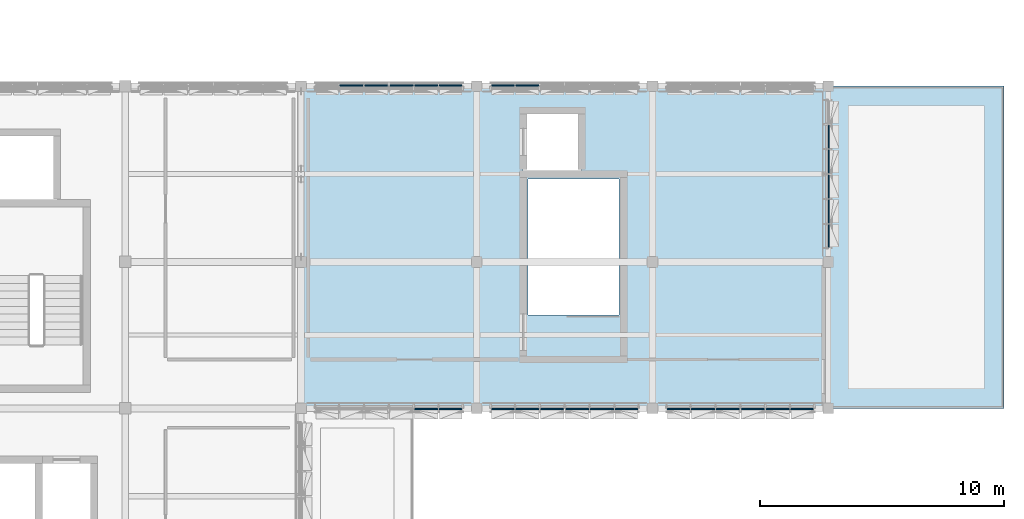
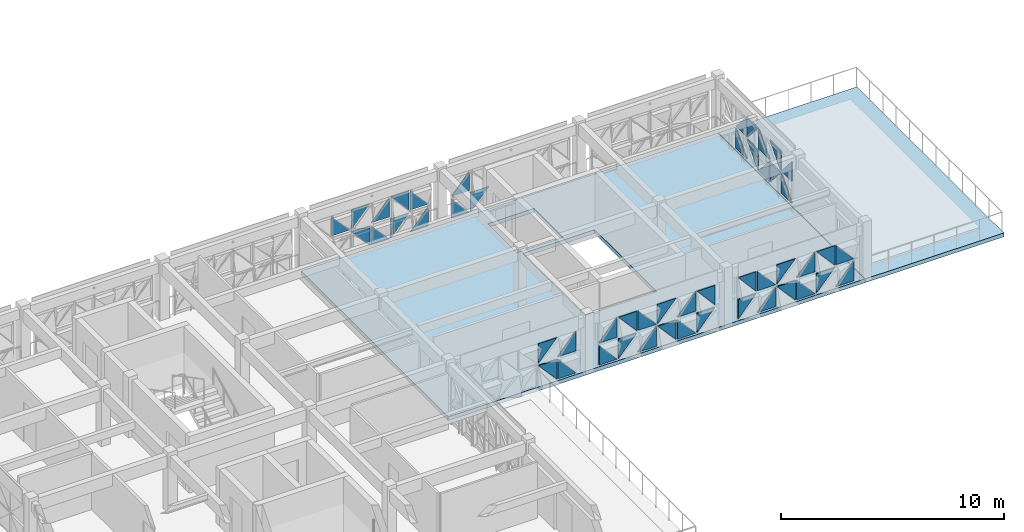
# One storey, part 16 of 35: 50 plates, 2 slabs, 6 elements without a shape of their own.
"""IFC4 building model written with IfcOpenShell, lengths in metres."""

from ifc_helpers import new_model, si_unit, direction, frame, origin, place, context, subcontext, project, spatial, polyline, outline, extrude, material, layer, layer_set, type_object, element, aggregate, save


model = new_model("IFC4")

# Units and contexts
model_context = context("Model", 3, precision=1e-05, world=origin(), true_north=direction((0.0, 1.0)))
body_context = subcontext(model_context, "Body", "Model", "MODEL_VIEW")
ifc_project = project(units=[si_unit("LENGTHUNIT", "METRE"), si_unit("AREAUNIT", "SQUARE_METRE"), si_unit("VOLUMEUNIT", "CUBIC_METRE"), si_unit("PLANEANGLEUNIT", "RADIAN"), si_unit("MASSUNIT", "GRAM", prefix="KILO")], contexts=[model_context])

# Site, building, storey
site_placement = place(None, origin())
site = spatial("IfcSite", under=ifc_project, at=site_placement, CompositionType="ELEMENT")
building_placement = place(site_placement, origin())
building = spatial("IfcBuilding", under=site, at=building_placement, Name="Alvorim Cloister Faculty of Sciences", CompositionType="ELEMENT")
storey_placement = place(building_placement, frame((0.0, 0.0, 22.949951171875)))
storey = spatial("IfcBuildingStorey", under=building, at=storey_placement, Name="L06", CompositionType="ELEMENT", Elevation=22.949951171875)

# Curtain wall, plates
ifc_material_1 = material(Name="Aluminium and Low-E Glass Curtain Wall", Category="aluminium")
curtain_wall_type = type_object("IfcCurtainWallType", Name="CW-TRI-6120x2550", PredefinedType="USERDEFINED", material=ifc_material_1)
curtain_wall_1_placement = place(storey_placement, origin())
curtain_wall_1 = element("IfcCurtainWall", 1, at=curtain_wall_1_placement, inside=storey, type_object=curtain_wall_type, Name="L06 Diagonal Cassette Curtain Wall CW-0248", ObjectType="UNITISED CURTAIN WALL", PredefinedType="USERDEFINED")
ifc_material_2 = material(Name="Double Low-E Laminated Glass", Category="glass")
ifc_layer_1 = layer(ifc_material_2, 0.0400390625)
ifc_layer_set_1 = layer_set([ifc_layer_1], Name="Double Low-E Laminated Glass")
plate_type = type_object("IfcPlateType", Name="PN-GLZ-40", PredefinedType="CURTAIN_PANEL", material=ifc_layer_set_1)
plate_1_placement = place(storey_placement, frame((30.392578125, 56.425048828125, 1.344970703125), z_axis=(0.0, 0.0, 1.0), x_axis=(1.0, 0.0, 0.0)))
plate_1 = element("IfcPlate", 2, at=plate_1_placement, type_object=plate_type, Name="Diagonal Glazed Triangle TRI-BL", PredefinedType="CURTAIN_PANEL", context=body_context, shape_type="SweptSolid", body=[
    extrude(outline(polyline([(0.0, 0.0), (0.953125, 0.0), (0.0, 1.063232421875), (0.0, 0.0)])), frame((0.0, 0.02490234375, 0.0), z_axis=(0.0, -1.0, 0.0), x_axis=(1.0, 0.0, 0.0)), (0.0, 0.0, 1.0), 0.050048828125),
])
plate_2_placement = place(storey_placement, frame((31.41259765625, 56.425048828125, 0.14013671875), z_axis=(0.0, 0.0, 1.0), x_axis=(1.0, 0.0, 0.0)))
plate_2 = element("IfcPlate", 3, at=plate_2_placement, type_object=plate_type, Name="Diagonal Glazed Triangle TRI-TR", PredefinedType="CURTAIN_PANEL", context=body_context, shape_type="SweptSolid", body=[
    extrude(outline(polyline([(0.955078125, 0.001953125), (0.955078125, 1.06494140625), (0.001953125, 1.06494140625), (0.955078125, 0.001953125)])), frame((0.0, 0.02490234375, 0.0), z_axis=(0.0, -1.0, 0.0), x_axis=(1.0, 0.0, 0.0)), (0.0, 0.0, 1.0), 0.050048828125),
])
plate_3_placement = place(storey_placement, frame((31.41259765625, 56.425048828125, 1.344970703125), z_axis=(0.0, 0.0, 1.0), x_axis=(1.0, 0.0, 0.0)))
plate_3 = element("IfcPlate", 4, at=plate_3_placement, type_object=plate_type, Name="Diagonal Glazed Triangle TRI-TL", PredefinedType="CURTAIN_PANEL", context=body_context, shape_type="SweptSolid", body=[
    extrude(outline(polyline([(0.953125, 1.065185546875), (0.0, 1.065185546875), (0.0, 0.001953125), (0.953125, 1.065185546875)])), frame((0.0, 0.02490234375, 0.0), z_axis=(0.0, -1.0, 0.0), x_axis=(1.0, 0.0, 0.0)), (0.0, 0.0, 1.0), 0.050048828125),
])
plate_4_placement = place(storey_placement, frame((32.4326171875, 56.425048828125, 0.14013671875), z_axis=(0.0, 0.0, 1.0), x_axis=(1.0, 0.0, 0.0)))
plate_4 = element("IfcPlate", 5, at=plate_4_placement, type_object=plate_type, Name="Diagonal Glazed Triangle TRI-BL", PredefinedType="CURTAIN_PANEL", context=body_context, shape_type="SweptSolid", body=[
    extrude(outline(polyline([(0.0, 0.0), (0.953125, 0.0), (0.0, 1.06298828125), (0.0, 0.0)])), frame((0.0, 0.02490234375, 0.0), z_axis=(0.0, -1.0, 0.0), x_axis=(1.0, 0.0, 0.0)), (0.0, 0.0, 1.0), 0.050048828125),
])
plate_5_placement = place(storey_placement, frame((32.4326171875, 56.425048828125, 1.344970703125), z_axis=(0.0, 0.0, 1.0), x_axis=(1.0, 0.0, 0.0)))
plate_5 = element("IfcPlate", 6, at=plate_5_placement, type_object=plate_type, Name="Diagonal Glazed Triangle TRI-BR", PredefinedType="CURTAIN_PANEL", context=body_context, shape_type="SweptSolid", body=[
    extrude(outline(polyline([(0.001953125, 0.0), (0.955078125, 0.0), (0.955078125, 1.063232421875), (0.001953125, 0.0)])), frame((0.0, 0.02490234375, 0.0), z_axis=(0.0, -1.0, 0.0), x_axis=(1.0, 0.0, 0.0)), (0.0, 0.0, 1.0), 0.050048828125),
])
plate_6_placement = place(storey_placement, frame((33.452392578125, 56.425048828125, 0.14013671875), z_axis=(0.0, 0.0, 1.0), x_axis=(1.0, 0.0, 0.0)))
plate_6 = element("IfcPlate", 7, at=plate_6_placement, type_object=plate_type, Name="Diagonal Glazed Triangle TRI-TL", PredefinedType="CURTAIN_PANEL", context=body_context, shape_type="SweptSolid", body=[
    extrude(outline(polyline([(0.953125, 1.06494140625), (0.0, 1.06494140625), (0.0, 0.001953125), (0.953125, 1.06494140625)])), frame((0.0, 0.02490234375, 0.0), z_axis=(0.0, -1.0, 0.0), x_axis=(1.0, 0.0, 0.0)), (0.0, 0.0, 1.0), 0.050048828125),
])
plate_7_placement = place(storey_placement, frame((33.452392578125, 56.425048828125, 1.344970703125), z_axis=(0.0, 0.0, 1.0), x_axis=(1.0, 0.0, 0.0)))
plate_7 = element("IfcPlate", 8, at=plate_7_placement, type_object=plate_type, Name="Diagonal Glazed Triangle TRI-TR", PredefinedType="CURTAIN_PANEL", context=body_context, shape_type="SweptSolid", body=[
    extrude(outline(polyline([(0.955078125, 0.001953125), (0.955078125, 1.065185546875), (0.001953125, 1.065185546875), (0.955078125, 0.001953125)])), frame((0.0, 0.02490234375, 0.0), z_axis=(0.0, -1.0, 0.0), x_axis=(1.0, 0.0, 0.0)), (0.0, 0.0, 1.0), 0.050048828125),
])
plate_8_placement = place(storey_placement, frame((34.472412109375, 56.425048828125, 0.14013671875), z_axis=(0.0, 0.0, 1.0), x_axis=(1.0, 0.0, 0.0)))
plate_8 = element("IfcPlate", 9, at=plate_8_placement, type_object=plate_type, Name="Diagonal Glazed Triangle TRI-BR", PredefinedType="CURTAIN_PANEL", context=body_context, shape_type="SweptSolid", body=[
    extrude(outline(polyline([(0.001953125, 0.0), (0.922607421875, 0.0), (0.922607421875, 1.06298828125), (0.001953125, 0.0)])), frame((0.0, 0.02490234375, 0.0), z_axis=(0.0, -1.0, 0.0), x_axis=(1.0, 0.0, 0.0)), (0.0, 0.0, 1.0), 0.050048828125),
])
plate_9_placement = place(storey_placement, frame((34.472412109375, 56.425048828125, 1.344970703125), z_axis=(0.0, 0.0, 1.0), x_axis=(1.0, 0.0, 0.0)))
plate_9 = element("IfcPlate", 10, at=plate_9_placement, type_object=plate_type, Name="Diagonal Glazed Triangle TRI-BL", PredefinedType="CURTAIN_PANEL", context=body_context, shape_type="SweptSolid", body=[
    extrude(outline(polyline([(0.0, 0.0), (0.920654296875, 0.0), (0.0, 1.063232421875), (0.0, 0.0)])), frame((0.0, 0.02490234375, 0.0), z_axis=(0.0, -1.0, 0.0), x_axis=(1.0, 0.0, 0.0)), (0.0, 0.0, 1.0), 0.050048828125),
])
aggregate(curtain_wall_1, [plate_1, plate_2, plate_3, plate_4, plate_5, plate_6, plate_7, plate_8, plate_9])

curtain_wall_2_placement = place(storey_placement, origin())
curtain_wall_2 = element("IfcCurtainWall", 11, at=curtain_wall_2_placement, inside=storey, type_object=curtain_wall_type, Name="L06 Diagonal Cassette Curtain Wall CW-0249", ObjectType="UNITISED CURTAIN WALL", PredefinedType="USERDEFINED")
plate_10_placement = place(storey_placement, frame((36.60498046875, 56.425048828125, 0.14013671875), z_axis=(0.0, 0.0, 1.0), x_axis=(1.0, 0.0, 0.0)))
plate_10 = element("IfcPlate", 12, at=plate_10_placement, type_object=plate_type, Name="Diagonal Glazed Triangle TRI-BL", PredefinedType="CURTAIN_PANEL", context=body_context, shape_type="SweptSolid", body=[
    extrude(outline(polyline([(0.0, 0.0), (0.920654296875, 0.0), (0.0, 1.06298828125), (0.0, 0.0)])), frame((0.0, 0.02490234375, 0.0), z_axis=(0.0, -1.0, 0.0), x_axis=(1.0, 0.0, 0.0)), (0.0, 0.0, 1.0), 0.050048828125),
])
plate_11_placement = place(storey_placement, frame((36.60498046875, 56.425048828125, 1.344970703125), z_axis=(0.0, 0.0, 1.0), x_axis=(1.0, 0.0, 0.0)))
plate_11 = element("IfcPlate", 13, at=plate_11_placement, type_object=plate_type, Name="Diagonal Glazed Triangle TRI-BR", PredefinedType="CURTAIN_PANEL", context=body_context, shape_type="SweptSolid", body=[
    extrude(outline(polyline([(0.001953125, 0.0), (0.922607421875, 0.0), (0.922607421875, 1.063232421875), (0.001953125, 0.0)])), frame((0.0, 0.02490234375, 0.0), z_axis=(0.0, -1.0, 0.0), x_axis=(1.0, 0.0, 0.0)), (0.0, 0.0, 1.0), 0.050048828125),
])
plate_12_placement = place(storey_placement, frame((37.592529296875, 56.425048828125, 0.14013671875), z_axis=(0.0, 0.0, 1.0), x_axis=(1.0, 0.0, 0.0)))
plate_12 = element("IfcPlate", 14, at=plate_12_placement, type_object=plate_type, Name="Diagonal Glazed Triangle TRI-TL", PredefinedType="CURTAIN_PANEL", context=body_context, shape_type="SweptSolid", body=[
    extrude(outline(polyline([(0.953125, 1.06494140625), (0.0, 1.06494140625), (0.0, 0.001953125), (0.953125, 1.06494140625)])), frame((0.0, 0.02490234375, 0.0), z_axis=(0.0, -1.0, 0.0), x_axis=(1.0, 0.0, 0.0)), (0.0, 0.0, 1.0), 0.050048828125),
])
aggregate(curtain_wall_2, [plate_10, plate_11, plate_12])

curtain_wall_3_placement = place(storey_placement, origin())
curtain_wall_3 = element("IfcCurtainWall", 15, at=curtain_wall_3_placement, inside=storey, type_object=curtain_wall_type, Name="L06 Diagonal Cassette Curtain Wall CW-0251", ObjectType="UNITISED CURTAIN WALL", PredefinedType="USERDEFINED")
plate_13_placement = place(storey_placement, frame((50.425048828125, 49.804931640625, 0.14013671875), z_axis=(0.0, 0.0, 1.0), x_axis=(0.0, 1.0, 0.0)))
plate_13 = element("IfcPlate", 16, at=plate_13_placement, type_object=plate_type, Name="Diagonal Glazed Triangle TRI-BR", PredefinedType="CURTAIN_PANEL", context=body_context, shape_type="SweptSolid", body=[
    extrude(outline(polyline([(0.001953125, 0.0), (0.922607421875, 0.0), (0.922607421875, 1.06298828125), (0.001953125, 0.0)])), frame((0.0, 0.02490234375, 0.0), z_axis=(0.0, -1.0, 0.0), x_axis=(1.0, 0.0, 0.0)), (0.0, 0.0, 1.0), 0.050048828125),
])
plate_14_placement = place(storey_placement, frame((50.425048828125, 49.804931640625, 1.344970703125), z_axis=(0.0, 0.0, 1.0), x_axis=(0.0, 1.0, 0.0)))
plate_14 = element("IfcPlate", 17, at=plate_14_placement, type_object=plate_type, Name="Diagonal Glazed Triangle TRI-BL", PredefinedType="CURTAIN_PANEL", context=body_context, shape_type="SweptSolid", body=[
    extrude(outline(polyline([(0.0, 0.0), (0.920654296875, 0.0), (0.0, 1.063232421875), (0.0, 0.0)])), frame((0.0, 0.02490234375, 0.0), z_axis=(0.0, -1.0, 0.0), x_axis=(1.0, 0.0, 0.0)), (0.0, 0.0, 1.0), 0.050048828125),
])
plate_15_placement = place(storey_placement, frame((50.425048828125, 50.79248046875, 0.14013671875), z_axis=(0.0, 0.0, 1.0), x_axis=(0.0, 1.0, 0.0)))
plate_15 = element("IfcPlate", 18, at=plate_15_placement, type_object=plate_type, Name="Diagonal Glazed Triangle TRI-TR", PredefinedType="CURTAIN_PANEL", context=body_context, shape_type="SweptSolid", body=[
    extrude(outline(polyline([(0.955078125, 0.001953125), (0.955078125, 1.06494140625), (0.001953125, 1.06494140625), (0.955078125, 0.001953125)])), frame((0.0, 0.02490234375, 0.0), z_axis=(0.0, -1.0, 0.0), x_axis=(1.0, 0.0, 0.0)), (0.0, 0.0, 1.0), 0.050048828125),
])
plate_16_placement = place(storey_placement, frame((50.425048828125, 50.79248046875, 1.344970703125), z_axis=(0.0, 0.0, 1.0), x_axis=(0.0, 1.0, 0.0)))
plate_16 = element("IfcPlate", 19, at=plate_16_placement, type_object=plate_type, Name="Diagonal Glazed Triangle TRI-TL", PredefinedType="CURTAIN_PANEL", context=body_context, shape_type="SweptSolid", body=[
    extrude(outline(polyline([(0.953125, 1.065185546875), (0.0, 1.065185546875), (0.0, 0.001953125), (0.953125, 1.065185546875)])), frame((0.0, 0.02490234375, 0.0), z_axis=(0.0, -1.0, 0.0), x_axis=(1.0, 0.0, 0.0)), (0.0, 0.0, 1.0), 0.050048828125),
])
plate_17_placement = place(storey_placement, frame((50.425048828125, 51.8125, 0.14013671875), z_axis=(0.0, 0.0, 1.0), x_axis=(0.0, 1.0, 0.0)))
plate_17 = element("IfcPlate", 20, at=plate_17_placement, type_object=plate_type, Name="Diagonal Glazed Triangle TRI-BL", PredefinedType="CURTAIN_PANEL", context=body_context, shape_type="SweptSolid", body=[
    extrude(outline(polyline([(0.0, 0.0), (0.953125, 0.0), (0.0, 1.06298828125), (0.0, 0.0)])), frame((0.0, 0.02490234375, 0.0), z_axis=(0.0, -1.0, 0.0), x_axis=(1.0, 0.0, 0.0)), (0.0, 0.0, 1.0), 0.050048828125),
])
plate_18_placement = place(storey_placement, frame((50.425048828125, 51.8125, 1.344970703125), z_axis=(0.0, 0.0, 1.0), x_axis=(0.0, 1.0, 0.0)))
plate_18 = element("IfcPlate", 21, at=plate_18_placement, type_object=plate_type, Name="Diagonal Glazed Triangle TRI-BR", PredefinedType="CURTAIN_PANEL", context=body_context, shape_type="SweptSolid", body=[
    extrude(outline(polyline([(0.001953125, 0.0), (0.955078125, 0.0), (0.955078125, 1.063232421875), (0.001953125, 0.0)])), frame((0.0, 0.02490234375, 0.0), z_axis=(0.0, -1.0, 0.0), x_axis=(1.0, 0.0, 0.0)), (0.0, 0.0, 1.0), 0.050048828125),
])
plate_19_placement = place(storey_placement, frame((50.425048828125, 52.83251953125, 0.14013671875), z_axis=(0.0, 0.0, 1.0), x_axis=(0.0, 1.0, 0.0)))
plate_19 = element("IfcPlate", 22, at=plate_19_placement, type_object=plate_type, Name="Diagonal Glazed Triangle TRI-TL", PredefinedType="CURTAIN_PANEL", context=body_context, shape_type="SweptSolid", body=[
    extrude(outline(polyline([(0.953125, 1.06494140625), (0.0, 1.06494140625), (0.0, 0.001953125), (0.953125, 1.06494140625)])), frame((0.0, 0.02490234375, 0.0), z_axis=(0.0, -1.0, 0.0), x_axis=(1.0, 0.0, 0.0)), (0.0, 0.0, 1.0), 0.050048828125),
])
plate_20_placement = place(storey_placement, frame((50.425048828125, 52.83251953125, 1.344970703125), z_axis=(0.0, 0.0, 1.0), x_axis=(0.0, 1.0, 0.0)))
plate_20 = element("IfcPlate", 23, at=plate_20_placement, type_object=plate_type, Name="Diagonal Glazed Triangle TRI-TR", PredefinedType="CURTAIN_PANEL", context=body_context, shape_type="SweptSolid", body=[
    extrude(outline(polyline([(0.955078125, 0.001953125), (0.955078125, 1.065185546875), (0.001953125, 1.065185546875), (0.955078125, 0.001953125)])), frame((0.0, 0.02490234375, 0.0), z_axis=(0.0, -1.0, 0.0), x_axis=(1.0, 0.0, 0.0)), (0.0, 0.0, 1.0), 0.050048828125),
])
plate_21_placement = place(storey_placement, frame((50.425048828125, 53.8525390625, 0.14013671875), z_axis=(0.0, 0.0, 1.0), x_axis=(0.0, 1.0, 0.0)))
plate_21 = element("IfcPlate", 24, at=plate_21_placement, type_object=plate_type, Name="Diagonal Glazed Triangle TRI-BR", PredefinedType="CURTAIN_PANEL", context=body_context, shape_type="SweptSolid", body=[
    extrude(outline(polyline([(0.001953125, 0.0), (0.955078125, 0.0), (0.955078125, 1.06298828125), (0.001953125, 0.0)])), frame((0.0, 0.02490234375, 0.0), z_axis=(0.0, -1.0, 0.0), x_axis=(1.0, 0.0, 0.0)), (0.0, 0.0, 1.0), 0.050048828125),
])
plate_22_placement = place(storey_placement, frame((50.425048828125, 53.8525390625, 1.344970703125), z_axis=(0.0, 0.0, 1.0), x_axis=(0.0, 1.0, 0.0)))
plate_22 = element("IfcPlate", 25, at=plate_22_placement, type_object=plate_type, Name="Diagonal Glazed Triangle TRI-BL", PredefinedType="CURTAIN_PANEL", context=body_context, shape_type="SweptSolid", body=[
    extrude(outline(polyline([(0.0, 0.0), (0.953125, 0.0), (0.0, 1.063232421875), (0.0, 0.0)])), frame((0.0, 0.02490234375, 0.0), z_axis=(0.0, -1.0, 0.0), x_axis=(1.0, 0.0, 0.0)), (0.0, 0.0, 1.0), 0.050048828125),
])
aggregate(curtain_wall_3, [plate_13, plate_14, plate_15, plate_16, plate_17, plate_18, plate_19, plate_20, plate_21, plate_22])

curtain_wall_4_placement = place(storey_placement, origin())
curtain_wall_4 = element("IfcCurtainWall", 26, at=curtain_wall_4_placement, inside=storey, type_object=curtain_wall_type, Name="L06 Diagonal Cassette Curtain Wall CW-0252", ObjectType="UNITISED CURTAIN WALL", PredefinedType="USERDEFINED")
plate_23_placement = place(storey_placement, frame((43.804931640625, 43.175048828125, 0.14013671875), z_axis=(0.0, 0.0, 1.0), x_axis=(1.0, 0.0, 0.0)))
plate_23 = element("IfcPlate", 27, at=plate_23_placement, type_object=plate_type, Name="Diagonal Glazed Triangle TRI-TL", PredefinedType="CURTAIN_PANEL", context=body_context, shape_type="SweptSolid", body=[
    extrude(outline(polyline([(0.920654296875, 1.06494140625), (0.0, 1.06494140625), (0.0, 0.001953125), (0.920654296875, 1.06494140625)])), frame((0.0, 0.02490234375, 0.0), z_axis=(0.0, -1.0, 0.0), x_axis=(1.0, 0.0, 0.0)), (0.0, 0.0, 1.0), 0.050048828125),
])
plate_24_placement = place(storey_placement, frame((43.804931640625, 43.175048828125, 1.344970703125), z_axis=(0.0, 0.0, 1.0), x_axis=(1.0, 0.0, 0.0)))
plate_24 = element("IfcPlate", 28, at=plate_24_placement, type_object=plate_type, Name="Diagonal Glazed Triangle TRI-TR", PredefinedType="CURTAIN_PANEL", context=body_context, shape_type="SweptSolid", body=[
    extrude(outline(polyline([(0.922607421875, 0.001953125), (0.922607421875, 1.065185546875), (0.001953125, 1.065185546875), (0.922607421875, 0.001953125)])), frame((0.0, 0.02490234375, 0.0), z_axis=(0.0, -1.0, 0.0), x_axis=(1.0, 0.0, 0.0)), (0.0, 0.0, 1.0), 0.050048828125),
])
plate_25_placement = place(storey_placement, frame((44.79248046875, 43.175048828125, 0.14013671875), z_axis=(0.0, 0.0, 1.0), x_axis=(1.0, 0.0, 0.0)))
plate_25 = element("IfcPlate", 29, at=plate_25_placement, type_object=plate_type, Name="Diagonal Glazed Triangle TRI-BR", PredefinedType="CURTAIN_PANEL", context=body_context, shape_type="SweptSolid", body=[
    extrude(outline(polyline([(0.001953125, 0.0), (0.955078125, 0.0), (0.955078125, 1.06298828125), (0.001953125, 0.0)])), frame((0.0, 0.02490234375, 0.0), z_axis=(0.0, -1.0, 0.0), x_axis=(1.0, 0.0, 0.0)), (0.0, 0.0, 1.0), 0.050048828125),
])
plate_26_placement = place(storey_placement, frame((44.79248046875, 43.175048828125, 1.344970703125), z_axis=(0.0, 0.0, 1.0), x_axis=(1.0, 0.0, 0.0)))
plate_26 = element("IfcPlate", 30, at=plate_26_placement, type_object=plate_type, Name="Diagonal Glazed Triangle TRI-BL", PredefinedType="CURTAIN_PANEL", context=body_context, shape_type="SweptSolid", body=[
    extrude(outline(polyline([(0.0, 0.0), (0.953125, 0.0), (0.0, 1.063232421875), (0.0, 0.0)])), frame((0.0, 0.02490234375, 0.0), z_axis=(0.0, -1.0, 0.0), x_axis=(1.0, 0.0, 0.0)), (0.0, 0.0, 1.0), 0.050048828125),
])
plate_27_placement = place(storey_placement, frame((45.8125, 43.175048828125, 0.14013671875), z_axis=(0.0, 0.0, 1.0), x_axis=(1.0, 0.0, 0.0)))
plate_27 = element("IfcPlate", 31, at=plate_27_placement, type_object=plate_type, Name="Diagonal Glazed Triangle TRI-TR", PredefinedType="CURTAIN_PANEL", context=body_context, shape_type="SweptSolid", body=[
    extrude(outline(polyline([(0.955078125, 0.001953125), (0.955078125, 1.06494140625), (0.001953125, 1.06494140625), (0.955078125, 0.001953125)])), frame((0.0, 0.02490234375, 0.0), z_axis=(0.0, -1.0, 0.0), x_axis=(1.0, 0.0, 0.0)), (0.0, 0.0, 1.0), 0.050048828125),
])
plate_28_placement = place(storey_placement, frame((45.8125, 43.175048828125, 1.344970703125), z_axis=(0.0, 0.0, 1.0), x_axis=(1.0, 0.0, 0.0)))
plate_28 = element("IfcPlate", 32, at=plate_28_placement, type_object=plate_type, Name="Diagonal Glazed Triangle TRI-TL", PredefinedType="CURTAIN_PANEL", context=body_context, shape_type="SweptSolid", body=[
    extrude(outline(polyline([(0.953125, 1.065185546875), (0.0, 1.065185546875), (0.0, 0.001953125), (0.953125, 1.065185546875)])), frame((0.0, 0.02490234375, 0.0), z_axis=(0.0, -1.0, 0.0), x_axis=(1.0, 0.0, 0.0)), (0.0, 0.0, 1.0), 0.050048828125),
])
plate_29_placement = place(storey_placement, frame((46.83251953125, 43.175048828125, 0.14013671875), z_axis=(0.0, 0.0, 1.0), x_axis=(1.0, 0.0, 0.0)))
plate_29 = element("IfcPlate", 33, at=plate_29_placement, type_object=plate_type, Name="Diagonal Glazed Triangle TRI-BL", PredefinedType="CURTAIN_PANEL", context=body_context, shape_type="SweptSolid", body=[
    extrude(outline(polyline([(0.0, 0.0), (0.953125, 0.0), (0.0, 1.06298828125), (0.0, 0.0)])), frame((0.0, 0.02490234375, 0.0), z_axis=(0.0, -1.0, 0.0), x_axis=(1.0, 0.0, 0.0)), (0.0, 0.0, 1.0), 0.050048828125),
])
plate_30_placement = place(storey_placement, frame((46.83251953125, 43.175048828125, 1.344970703125), z_axis=(0.0, 0.0, 1.0), x_axis=(1.0, 0.0, 0.0)))
plate_30 = element("IfcPlate", 34, at=plate_30_placement, type_object=plate_type, Name="Diagonal Glazed Triangle TRI-BR", PredefinedType="CURTAIN_PANEL", context=body_context, shape_type="SweptSolid", body=[
    extrude(outline(polyline([(0.001953125, 0.0), (0.955078125, 0.0), (0.955078125, 1.063232421875), (0.001953125, 0.0)])), frame((0.0, 0.02490234375, 0.0), z_axis=(0.0, -1.0, 0.0), x_axis=(1.0, 0.0, 0.0)), (0.0, 0.0, 1.0), 0.050048828125),
])
plate_31_placement = place(storey_placement, frame((47.8525390625, 43.175048828125, 0.14013671875), z_axis=(0.0, 0.0, 1.0), x_axis=(1.0, 0.0, 0.0)))
plate_31 = element("IfcPlate", 35, at=plate_31_placement, type_object=plate_type, Name="Diagonal Glazed Triangle TRI-TL", PredefinedType="CURTAIN_PANEL", context=body_context, shape_type="SweptSolid", body=[
    extrude(outline(polyline([(0.953125, 1.06494140625), (0.0, 1.06494140625), (0.0, 0.001953125), (0.953125, 1.06494140625)])), frame((0.0, 0.02490234375, 0.0), z_axis=(0.0, -1.0, 0.0), x_axis=(1.0, 0.0, 0.0)), (0.0, 0.0, 1.0), 0.050048828125),
])
plate_32_placement = place(storey_placement, frame((47.8525390625, 43.175048828125, 1.344970703125), z_axis=(0.0, 0.0, 1.0), x_axis=(1.0, 0.0, 0.0)))
plate_32 = element("IfcPlate", 36, at=plate_32_placement, type_object=plate_type, Name="Diagonal Glazed Triangle TRI-TR", PredefinedType="CURTAIN_PANEL", context=body_context, shape_type="SweptSolid", body=[
    extrude(outline(polyline([(0.955078125, 0.001953125), (0.955078125, 1.065185546875), (0.001953125, 1.065185546875), (0.955078125, 0.001953125)])), frame((0.0, 0.02490234375, 0.0), z_axis=(0.0, -1.0, 0.0), x_axis=(1.0, 0.0, 0.0)), (0.0, 0.0, 1.0), 0.050048828125),
])
plate_33_placement = place(storey_placement, frame((48.87255859375, 43.175048828125, 0.14013671875), z_axis=(0.0, 0.0, 1.0), x_axis=(1.0, 0.0, 0.0)))
plate_33 = element("IfcPlate", 37, at=plate_33_placement, type_object=plate_type, Name="Diagonal Glazed Triangle TRI-BR", PredefinedType="CURTAIN_PANEL", context=body_context, shape_type="SweptSolid", body=[
    extrude(outline(polyline([(0.001953125, 0.0), (0.922607421875, 0.0), (0.922607421875, 1.06298828125), (0.001953125, 0.0)])), frame((0.0, 0.02490234375, 0.0), z_axis=(0.0, -1.0, 0.0), x_axis=(1.0, 0.0, 0.0)), (0.0, 0.0, 1.0), 0.050048828125),
])
plate_34_placement = place(storey_placement, frame((48.87255859375, 43.175048828125, 1.344970703125), z_axis=(0.0, 0.0, 1.0), x_axis=(1.0, 0.0, 0.0)))
plate_34 = element("IfcPlate", 38, at=plate_34_placement, type_object=plate_type, Name="Diagonal Glazed Triangle TRI-BL", PredefinedType="CURTAIN_PANEL", context=body_context, shape_type="SweptSolid", body=[
    extrude(outline(polyline([(0.0, 0.0), (0.920654296875, 0.0), (0.0, 1.063232421875), (0.0, 0.0)])), frame((0.0, 0.02490234375, 0.0), z_axis=(0.0, -1.0, 0.0), x_axis=(1.0, 0.0, 0.0)), (0.0, 0.0, 1.0), 0.050048828125),
])
aggregate(curtain_wall_4, [plate_23, plate_24, plate_25, plate_26, plate_27, plate_28, plate_29, plate_30, plate_31, plate_32, plate_33, plate_34])

curtain_wall_5_placement = place(storey_placement, origin())
curtain_wall_5 = element("IfcCurtainWall", 39, at=curtain_wall_5_placement, inside=storey, type_object=curtain_wall_type, Name="L06 Diagonal Cassette Curtain Wall CW-0253", ObjectType="UNITISED CURTAIN WALL", PredefinedType="USERDEFINED")
plate_35_placement = place(storey_placement, frame((36.60498046875, 43.175048828125, 0.14013671875), z_axis=(0.0, 0.0, 1.0), x_axis=(1.0, 0.0, 0.0)))
plate_35 = element("IfcPlate", 40, at=plate_35_placement, type_object=plate_type, Name="Diagonal Glazed Triangle TRI-BL", PredefinedType="CURTAIN_PANEL", context=body_context, shape_type="SweptSolid", body=[
    extrude(outline(polyline([(0.0, 0.0), (0.920654296875, 0.0), (0.0, 1.06298828125), (0.0, 0.0)])), frame((0.0, 0.02490234375, 0.0), z_axis=(0.0, -1.0, 0.0), x_axis=(1.0, 0.0, 0.0)), (0.0, 0.0, 1.0), 0.050048828125),
])
plate_36_placement = place(storey_placement, frame((36.60498046875, 43.175048828125, 1.344970703125), z_axis=(0.0, 0.0, 1.0), x_axis=(1.0, 0.0, 0.0)))
plate_36 = element("IfcPlate", 41, at=plate_36_placement, type_object=plate_type, Name="Diagonal Glazed Triangle TRI-BR", PredefinedType="CURTAIN_PANEL", context=body_context, shape_type="SweptSolid", body=[
    extrude(outline(polyline([(0.001953125, 0.0), (0.922607421875, 0.0), (0.922607421875, 1.063232421875), (0.001953125, 0.0)])), frame((0.0, 0.02490234375, 0.0), z_axis=(0.0, -1.0, 0.0), x_axis=(1.0, 0.0, 0.0)), (0.0, 0.0, 1.0), 0.050048828125),
])
plate_37_placement = place(storey_placement, frame((37.592529296875, 43.175048828125, 0.14013671875), z_axis=(0.0, 0.0, 1.0), x_axis=(1.0, 0.0, 0.0)))
plate_37 = element("IfcPlate", 42, at=plate_37_placement, type_object=plate_type, Name="Diagonal Glazed Triangle TRI-TL", PredefinedType="CURTAIN_PANEL", context=body_context, shape_type="SweptSolid", body=[
    extrude(outline(polyline([(0.953125, 1.06494140625), (0.0, 1.06494140625), (0.0, 0.001953125), (0.953125, 1.06494140625)])), frame((0.0, 0.02490234375, 0.0), z_axis=(0.0, -1.0, 0.0), x_axis=(1.0, 0.0, 0.0)), (0.0, 0.0, 1.0), 0.050048828125),
])
plate_38_placement = place(storey_placement, frame((37.592529296875, 43.175048828125, 1.344970703125), z_axis=(0.0, 0.0, 1.0), x_axis=(1.0, 0.0, 0.0)))
plate_38 = element("IfcPlate", 43, at=plate_38_placement, type_object=plate_type, Name="Diagonal Glazed Triangle TRI-TR", PredefinedType="CURTAIN_PANEL", context=body_context, shape_type="SweptSolid", body=[
    extrude(outline(polyline([(0.955078125, 0.001953125), (0.955078125, 1.065185546875), (0.001953125, 1.065185546875), (0.955078125, 0.001953125)])), frame((0.0, 0.02490234375, 0.0), z_axis=(0.0, -1.0, 0.0), x_axis=(1.0, 0.0, 0.0)), (0.0, 0.0, 1.0), 0.050048828125),
])
plate_39_placement = place(storey_placement, frame((38.612548828125, 43.175048828125, 0.14013671875), z_axis=(0.0, 0.0, 1.0), x_axis=(1.0, 0.0, 0.0)))
plate_39 = element("IfcPlate", 44, at=plate_39_placement, type_object=plate_type, Name="Diagonal Glazed Triangle TRI-BR", PredefinedType="CURTAIN_PANEL", context=body_context, shape_type="SweptSolid", body=[
    extrude(outline(polyline([(0.001953125, 0.0), (0.955078125, 0.0), (0.955078125, 1.06298828125), (0.001953125, 0.0)])), frame((0.0, 0.02490234375, 0.0), z_axis=(0.0, -1.0, 0.0), x_axis=(1.0, 0.0, 0.0)), (0.0, 0.0, 1.0), 0.050048828125),
])
plate_40_placement = place(storey_placement, frame((38.612548828125, 43.175048828125, 1.344970703125), z_axis=(0.0, 0.0, 1.0), x_axis=(1.0, 0.0, 0.0)))
plate_40 = element("IfcPlate", 45, at=plate_40_placement, type_object=plate_type, Name="Diagonal Glazed Triangle TRI-BL", PredefinedType="CURTAIN_PANEL", context=body_context, shape_type="SweptSolid", body=[
    extrude(outline(polyline([(0.0, 0.0), (0.953125, 0.0), (0.0, 1.063232421875), (0.0, 0.0)])), frame((0.0, 0.02490234375, 0.0), z_axis=(0.0, -1.0, 0.0), x_axis=(1.0, 0.0, 0.0)), (0.0, 0.0, 1.0), 0.050048828125),
])
plate_41_placement = place(storey_placement, frame((39.632568359375, 43.175048828125, 0.14013671875), z_axis=(0.0, 0.0, 1.0), x_axis=(1.0, 0.0, 0.0)))
plate_41 = element("IfcPlate", 46, at=plate_41_placement, type_object=plate_type, Name="Diagonal Glazed Triangle TRI-TR", PredefinedType="CURTAIN_PANEL", context=body_context, shape_type="SweptSolid", body=[
    extrude(outline(polyline([(0.955078125, 0.001953125), (0.955078125, 1.06494140625), (0.001953125, 1.06494140625), (0.955078125, 0.001953125)])), frame((0.0, 0.02490234375, 0.0), z_axis=(0.0, -1.0, 0.0), x_axis=(1.0, 0.0, 0.0)), (0.0, 0.0, 1.0), 0.050048828125),
])
plate_42_placement = place(storey_placement, frame((39.632568359375, 43.175048828125, 1.344970703125), z_axis=(0.0, 0.0, 1.0), x_axis=(1.0, 0.0, 0.0)))
plate_42 = element("IfcPlate", 47, at=plate_42_placement, type_object=plate_type, Name="Diagonal Glazed Triangle TRI-TL", PredefinedType="CURTAIN_PANEL", context=body_context, shape_type="SweptSolid", body=[
    extrude(outline(polyline([(0.953125, 1.065185546875), (0.0, 1.065185546875), (0.0, 0.001953125), (0.953125, 1.065185546875)])), frame((0.0, 0.02490234375, 0.0), z_axis=(0.0, -1.0, 0.0), x_axis=(1.0, 0.0, 0.0)), (0.0, 0.0, 1.0), 0.050048828125),
])
plate_43_placement = place(storey_placement, frame((40.652587890625, 43.175048828125, 0.14013671875), z_axis=(0.0, 0.0, 1.0), x_axis=(1.0, 0.0, 0.0)))
plate_43 = element("IfcPlate", 48, at=plate_43_placement, type_object=plate_type, Name="Diagonal Glazed Triangle TRI-BL", PredefinedType="CURTAIN_PANEL", context=body_context, shape_type="SweptSolid", body=[
    extrude(outline(polyline([(0.0, 0.0), (0.953125, 0.0), (0.0, 1.06298828125), (0.0, 0.0)])), frame((0.0, 0.02490234375, 0.0), z_axis=(0.0, -1.0, 0.0), x_axis=(1.0, 0.0, 0.0)), (0.0, 0.0, 1.0), 0.050048828125),
])
plate_44_placement = place(storey_placement, frame((40.652587890625, 43.175048828125, 1.344970703125), z_axis=(0.0, 0.0, 1.0), x_axis=(1.0, 0.0, 0.0)))
plate_44 = element("IfcPlate", 49, at=plate_44_placement, type_object=plate_type, Name="Diagonal Glazed Triangle TRI-BR", PredefinedType="CURTAIN_PANEL", context=body_context, shape_type="SweptSolid", body=[
    extrude(outline(polyline([(0.001953125, 0.0), (0.955078125, 0.0), (0.955078125, 1.063232421875), (0.001953125, 0.0)])), frame((0.0, 0.02490234375, 0.0), z_axis=(0.0, -1.0, 0.0), x_axis=(1.0, 0.0, 0.0)), (0.0, 0.0, 1.0), 0.050048828125),
])
plate_45_placement = place(storey_placement, frame((41.672607421875, 43.175048828125, 0.14013671875), z_axis=(0.0, 0.0, 1.0), x_axis=(1.0, 0.0, 0.0)))
plate_45 = element("IfcPlate", 50, at=plate_45_placement, type_object=plate_type, Name="Diagonal Glazed Triangle TRI-TL", PredefinedType="CURTAIN_PANEL", context=body_context, shape_type="SweptSolid", body=[
    extrude(outline(polyline([(0.920654296875, 1.06494140625), (0.0, 1.06494140625), (0.0, 0.001953125), (0.920654296875, 1.06494140625)])), frame((0.0, 0.02490234375, 0.0), z_axis=(0.0, -1.0, 0.0), x_axis=(1.0, 0.0, 0.0)), (0.0, 0.0, 1.0), 0.050048828125),
])
plate_46_placement = place(storey_placement, frame((41.672607421875, 43.175048828125, 1.344970703125), z_axis=(0.0, 0.0, 1.0), x_axis=(1.0, 0.0, 0.0)))
plate_46 = element("IfcPlate", 51, at=plate_46_placement, type_object=plate_type, Name="Diagonal Glazed Triangle TRI-TR", PredefinedType="CURTAIN_PANEL", context=body_context, shape_type="SweptSolid", body=[
    extrude(outline(polyline([(0.922607421875, 0.001953125), (0.922607421875, 1.065185546875), (0.001953125, 1.065185546875), (0.922607421875, 0.001953125)])), frame((0.0, 0.02490234375, 0.0), z_axis=(0.0, -1.0, 0.0), x_axis=(1.0, 0.0, 0.0)), (0.0, 0.0, 1.0), 0.050048828125),
])
aggregate(curtain_wall_5, [plate_35, plate_36, plate_37, plate_38, plate_39, plate_40, plate_41, plate_42, plate_43, plate_44, plate_45, plate_46])

curtain_wall_6_placement = place(storey_placement, origin())
curtain_wall_6 = element("IfcCurtainWall", 52, at=curtain_wall_6_placement, inside=storey, type_object=curtain_wall_type, Name="L06 Diagonal Cassette Curtain Wall CW-0254", ObjectType="UNITISED CURTAIN WALL", PredefinedType="USERDEFINED")
plate_47_placement = place(storey_placement, frame((33.452392578125, 43.175048828125, 0.14013671875), z_axis=(0.0, 0.0, 1.0), x_axis=(1.0, 0.0, 0.0)))
plate_47 = element("IfcPlate", 53, at=plate_47_placement, type_object=plate_type, Name="Diagonal Glazed Triangle TRI-TR", PredefinedType="CURTAIN_PANEL", context=body_context, shape_type="SweptSolid", body=[
    extrude(outline(polyline([(0.955078125, 0.001953125), (0.955078125, 1.06494140625), (0.001953125, 1.06494140625), (0.955078125, 0.001953125)])), frame((0.0, 0.02490234375, 0.0), z_axis=(0.0, -1.0, 0.0), x_axis=(1.0, 0.0, 0.0)), (0.0, 0.0, 1.0), 0.050048828125),
])
plate_48_placement = place(storey_placement, frame((33.452392578125, 43.175048828125, 1.344970703125), z_axis=(0.0, 0.0, 1.0), x_axis=(1.0, 0.0, 0.0)))
plate_48 = element("IfcPlate", 54, at=plate_48_placement, type_object=plate_type, Name="Diagonal Glazed Triangle TRI-TL", PredefinedType="CURTAIN_PANEL", context=body_context, shape_type="SweptSolid", body=[
    extrude(outline(polyline([(0.953125, 1.065185546875), (0.0, 1.065185546875), (0.0, 0.001953125), (0.953125, 1.065185546875)])), frame((0.0, 0.02490234375, 0.0), z_axis=(0.0, -1.0, 0.0), x_axis=(1.0, 0.0, 0.0)), (0.0, 0.0, 1.0), 0.050048828125),
])
plate_49_placement = place(storey_placement, frame((34.472412109375, 43.175048828125, 0.14013671875), z_axis=(0.0, 0.0, 1.0), x_axis=(1.0, 0.0, 0.0)))
plate_49 = element("IfcPlate", 55, at=plate_49_placement, type_object=plate_type, Name="Diagonal Glazed Triangle TRI-BL", PredefinedType="CURTAIN_PANEL", context=body_context, shape_type="SweptSolid", body=[
    extrude(outline(polyline([(0.0, 0.0), (0.920654296875, 0.0), (0.0, 1.06298828125), (0.0, 0.0)])), frame((0.0, 0.02490234375, 0.0), z_axis=(0.0, -1.0, 0.0), x_axis=(1.0, 0.0, 0.0)), (0.0, 0.0, 1.0), 0.050048828125),
])
plate_50_placement = place(storey_placement, frame((34.472412109375, 43.175048828125, 1.344970703125), z_axis=(0.0, 0.0, 1.0), x_axis=(1.0, 0.0, 0.0)))
plate_50 = element("IfcPlate", 56, at=plate_50_placement, type_object=plate_type, Name="Diagonal Glazed Triangle TRI-BR", PredefinedType="CURTAIN_PANEL", context=body_context, shape_type="SweptSolid", body=[
    extrude(outline(polyline([(0.001953125, 0.0), (0.922607421875, 0.0), (0.922607421875, 1.063232421875), (0.001953125, 0.0)])), frame((0.0, 0.02490234375, 0.0), z_axis=(0.0, -1.0, 0.0), x_axis=(1.0, 0.0, 0.0)), (0.0, 0.0, 1.0), 0.050048828125),
])
aggregate(curtain_wall_6, [plate_47, plate_48, plate_49, plate_50])

# Slabs
ifc_material_3 = material(Name="Cross-Laminated Timber CLT C24", Category="wood")
ifc_layer_2 = layer(ifc_material_3, 0.2099609375)
ifc_layer_set_2 = layer_set([ifc_layer_2], Name="Cross-Laminated Timber CLT C24")
slab_type_1 = type_object("IfcSlabType", Name="SL-CLT-210", PredefinedType="FLOOR", material=ifc_layer_set_2)
slab_1_placement = place(storey_placement, frame((0.0, 0.0, -0.2099609375)))
element("IfcSlab", 57, at=slab_1_placement, inside=storey, type_object=slab_type_1, Name="L06 V4 Structural Slab 35", PredefinedType="FLOOR", context=body_context, shape_type="SweptSolid", body=[
    extrude(outline(polyline([(28.804931640625, 43.205078125), (28.804931640625, 56.39501953125), (50.39501953125, 56.39501953125), (50.39501953125, 43.205078125), (28.804931640625, 43.205078125)]), holes=[polyline([(38.10009765625, 52.60009765625), (38.10009765625, 47.030029296875), (41.820068359375, 47.030029296875), (41.820068359375, 52.60009765625), (38.10009765625, 52.60009765625)]), polyline([(40.300048828125, 55.39990234375), (37.89990234375, 55.39990234375), (37.89990234375, 52.800048828125), (40.300048828125, 52.800048828125), (40.300048828125, 55.39990234375)])]), origin(), (0.0, 0.0, 1.0), 0.2099609375),
])
ifc_layer_3 = layer(ifc_material_3, 0.2099609375)
ifc_layer_set_3 = layer_set([ifc_layer_3], Name="Cross-Laminated Timber CLT C24")
slab_type_2 = type_object("IfcSlabType", Name="SL-TER-210", PredefinedType="USERDEFINED", material=ifc_layer_set_3)
slab_2_placement = place(storey_placement, frame((0.0, 0.0, -0.2099609375)))
element("IfcSlab", 58, at=slab_2_placement, inside=storey, type_object=slab_type_2, Name="L06 North Laboratory Stepped Terrace", ObjectType="TERRACE DECK", PredefinedType="USERDEFINED", context=body_context, shape_type="SweptSolid", body=[
    extrude(outline(polyline([(57.60009765625, 56.39990234375), (57.60009765625, 43.199951171875), (50.4150390625, 43.199951171875), (50.4150390625, 56.39990234375), (57.60009765625, 56.39990234375)])), origin(), (0.0, 0.0, 1.0), 0.2099609375),
])

save(model, "model.ifc")
